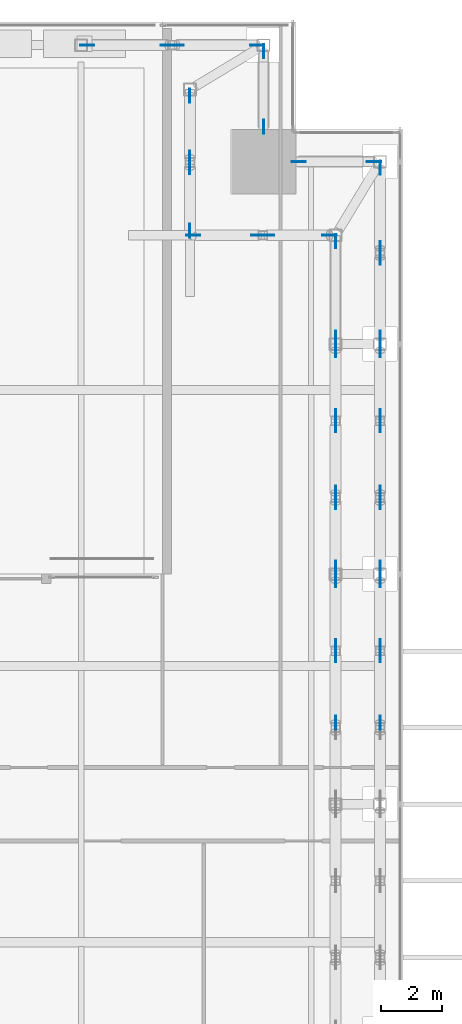
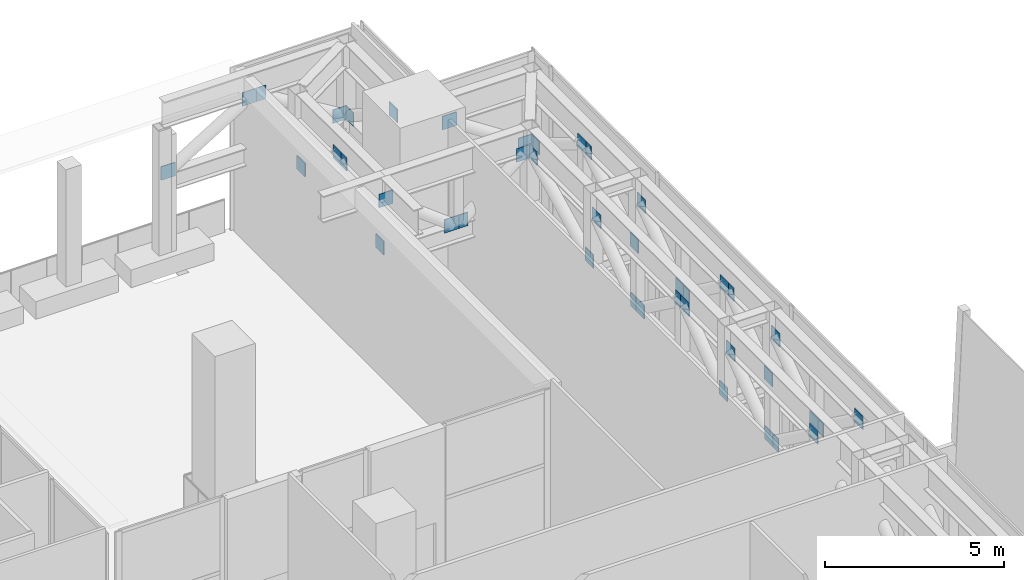
# One storey, part 43 of 47: 42 discrete accessories.
"""IFC4 building model written with IfcOpenShell, lengths in metres."""

from ifc_helpers import new_model, si_unit, direction, frame, origin, origin_2d, place, context, subcontext, project, spatial, rectangle, extrude, source, transform, mapped, material, layer, layer_set, type_object, element, save


model = new_model("IFC4")

# Units and contexts
model_context = context("Model", 3, precision=1e-05, world=origin(), true_north=direction((0.0, 1.0)))
body_context = subcontext(model_context, "Body", "Model", "MODEL_VIEW")
ifc_project = project(units=[si_unit("LENGTHUNIT", "METRE"), si_unit("AREAUNIT", "SQUARE_METRE"), si_unit("VOLUMEUNIT", "CUBIC_METRE"), si_unit("PLANEANGLEUNIT", "RADIAN"), si_unit("MASSUNIT", "GRAM", prefix="KILO")], contexts=[model_context])

# Site, building, storey
site_placement = place(None, origin())
site = spatial("IfcSite", under=ifc_project, at=site_placement, CompositionType="ELEMENT")
building_placement = place(site_placement, origin())
building = spatial("IfcBuilding", under=site, at=building_placement, Name="Khomas Fold Tower", CompositionType="ELEMENT")
storey_placement = place(building_placement, frame((0.0, 0.0, 158.699951171875)))
storey = spatial("IfcBuildingStorey", under=building, at=storey_placement, Name="L34", CompositionType="ELEMENT", Elevation=158.699951171875)

# Discrete accessories
ifc_material = material(Name="Steel S355", Category="steel")
ifc_layer = layer(ifc_material, 0.030029296875)
ifc_layer_set = layer_set([ifc_layer], Name="Steel S355")
discrete_accessory_type = type_object("IfcDiscreteAccessoryType", Name="Gusset plate 30 x 460 GP2", PredefinedType="BRACKET", material=ifc_layer_set)
shared_shape = source(origin(), body_context, "Body", "SweptSolid", [
    extrude(rectangle(XDim=0.4599609375, YDim=0.030029296875, at=origin_2d()), origin(), (0.0, 0.0, 1.0), 0.4599609375),
])
for number, where, z_axis, x_axis, name in (
    (1, (42.199951171875, 51.75, 3.01513671875), (0.0, 0.0, 1.0), (1.0, 0.0, 0.0), "Gusset plate BT2-D"),
    (2, (44.824951171875, 51.75, 4.625), (0.0, 0.0, 1.0), (1.0, 0.0, 0.0), "Gusset plate BT2-D"),
    (3, (45.125, 51.75, 4.625), (0.0, 0.0, 1.0), (1.0, 0.0, 0.0), "Gusset plate BT2-D"),
    (4, (45.550048828125, 45.699951171875, 3.01513671875), (0.0, 0.0, 1.0), (0.0, 1.0, 0.0), "Gusset plate BT2-D"),
    (5, (45.550048828125, 47.77490234375, 4.625), (0.0, 0.0, 1.0), (0.0, 1.0, 0.0), "Gusset plate BT2-D"),
    (6, (45.550048828125, 48.074951171875, 4.625), (0.0, 0.0, 1.0), (0.0, 1.0, 0.0), "Gusset plate BT2-D"),
    (7, (45.550048828125, 50.10009765625, 3.01513671875), (0.0, 0.0, 1.0), (0.0, 1.0, 0.0), "Gusset plate BT2-D"),
    (8, (45.65380859375, 45.550048828125, 4.625), (0.0, 0.0, 1.0), (1.0, 0.0, 0.0), "Gusset plate BT2-D"),
    (9, (47.75, 51.75, 3.01513671875), (0.0, 0.0, 1.0), (1.0, 0.0, 0.0), "Gusset plate BT2-D"),
    (10, (47.77490234375, 45.550048828125, 3.01513671875), (0.0, 0.0, 1.0), (1.0, 0.0, 0.0), "Gusset plate BT2-D"),
    (11, (47.949951171875, 49.094482421875, 4.625), (0.0, 0.0, 1.0), (0.0, 1.0, 0.0), "Gusset plate BT2-D"),
    (12, (47.949951171875, 51.550048828125, 3.01513671875), (0.0, 0.0, 1.0), (0.0, 1.0, 0.0), "Gusset plate BT2-D"),
    (13, (48.074951171875, 45.550048828125, 3.01513671875), (0.0, 0.0, 1.0), (1.0, 0.0, 0.0), "Gusset plate BT2-D"),
    (14, (49.094482421875, 47.949951171875, 4.625), (0.0, 0.0, 1.0), (1.0, 0.0, 0.0), "Gusset plate BT2-D"),
    (15, (50.10009765625, 45.550048828125, 4.625), (0.0, 0.0, 1.0), (1.0, 0.0, 0.0), "Gusset plate BT2-D"),
    (16, (50.300048828125, 29.64990234375, 4.625), (0.0, 0.0, 1.0), (0.0, 1.0, 0.0), "Gusset plate BT2-D"),
    (17, (50.300048828125, 31.85009765625, 3.01513671875), (0.0, 0.0, 1.0), (0.0, 1.0, 0.0), "Gusset plate BT2-D"),
    (18, (50.300048828125, 32.14990234375, 3.01513671875), (0.0, 0.0, 1.0), (0.0, 1.0, 0.0), "Gusset plate BT2-D"),
    (19, (50.300048828125, 34.300048828125, 4.625), (0.0, 0.0, 1.0), (0.0, 1.0, 0.0), "Gusset plate BT2-D"),
    (20, (50.300048828125, 34.699951171875, 3.01513671875), (0.0, 0.0, 1.0), (0.0, 1.0, 0.0), "Gusset plate BT2-D"),
    (21, (50.300048828125, 36.85009765625, 4.625), (0.0, 0.0, 1.0), (0.0, 1.0, 0.0), "Gusset plate BT2-D"),
    (22, (50.300048828125, 37.14990234375, 4.625), (0.0, 0.0, 1.0), (0.0, 1.0, 0.0), "Gusset plate BT2-D"),
    (23, (50.300048828125, 39.35009765625, 3.01513671875), (0.0, 0.0, 1.0), (0.0, 1.0, 0.0), "Gusset plate BT2-D"),
    (24, (50.300048828125, 39.64990234375, 3.01513671875), (0.0, 0.0, 1.0), (0.0, 1.0, 0.0), "Gusset plate BT2-D"),
    (25, (50.300048828125, 41.800048828125, 4.625), (0.0, 0.0, 1.0), (0.0, 1.0, 0.0), "Gusset plate BT2-D"),
    (26, (50.300048828125, 42.199951171875, 3.01513671875), (0.0, 0.0, 1.0), (0.0, 1.0, 0.0), "Gusset plate BT2-D"),
    (27, (50.300048828125, 45.35009765625, 4.625), (0.0, 0.0, 1.0), (0.0, 1.0, 0.0), "Gusset plate BT2-D"),
    (28, (51.550048828125, 47.949951171875, 3.01513671875), (0.0, 0.0, 1.0), (1.0, 0.0, 0.0), "Gusset plate BT2-D"),
    (29, (51.75, 29.64990234375, 4.625), (0.0, 0.0, 1.0), (0.0, 1.0, 0.0), "Gusset plate BT2-D"),
    (30, (51.75, 31.85009765625, 3.01513671875), (0.0, 0.0, 1.0), (0.0, 1.0, 0.0), "Gusset plate BT2-D"),
    (31, (51.75, 32.14990234375, 3.01513671875), (0.0, 0.0, 1.0), (0.0, 1.0, 0.0), "Gusset plate BT2-D"),
    (32, (51.75, 34.300048828125, 4.625), (0.0, 0.0, 1.0), (0.0, 1.0, 0.0), "Gusset plate BT2-D"),
    (33, (51.75, 34.699951171875, 3.01513671875), (0.0, 0.0, 1.0), (0.0, 1.0, 0.0), "Gusset plate BT2-D"),
    (34, (51.75, 36.85009765625, 4.625), (0.0, 0.0, 1.0), (0.0, 1.0, 0.0), "Gusset plate BT2-D"),
    (35, (51.75, 37.14990234375, 4.625), (0.0, 0.0, 1.0), (0.0, 1.0, 0.0), "Gusset plate BT2-D"),
    (36, (51.75, 39.35009765625, 3.01513671875), (0.0, 0.0, 1.0), (0.0, 1.0, 0.0), "Gusset plate BT2-D"),
    (37, (51.75, 39.64990234375, 3.01513671875), (0.0, 0.0, 1.0), (0.0, 1.0, 0.0), "Gusset plate BT2-D"),
    (38, (51.75, 41.800048828125, 4.625), (0.0, 0.0, 1.0), (0.0, 1.0, 0.0), "Gusset plate BT2-D"),
    (39, (51.75, 42.199951171875, 3.01513671875), (0.0, 0.0, 1.0), (0.0, 1.0, 0.0), "Gusset plate BT2-D"),
    (40, (51.75, 44.824951171875, 4.625), (0.0, 0.0, 1.0), (0.0, 1.0, 0.0), "Gusset plate BT2-D"),
    (41, (51.75, 45.125, 4.625), (0.0, 0.0, 1.0), (0.0, 1.0, 0.0), "Gusset plate BT2-D"),
    (42, (51.75, 47.75, 3.01513671875), (0.0, 0.0, 1.0), (0.0, 1.0, 0.0), "Gusset plate BT2-D"),
):
    element("IfcDiscreteAccessory", number, at=place(storey_placement, frame(where, z_axis=z_axis, x_axis=x_axis)), inside=storey, type_object=discrete_accessory_type, Name=name, PredefinedType="BRACKET", context=body_context, shape_type="MappedRepresentation", body=[
        mapped(shared_shape, transform((0.0, 0.0, 0.0))),
    ])

save(model, "model.ifc")
